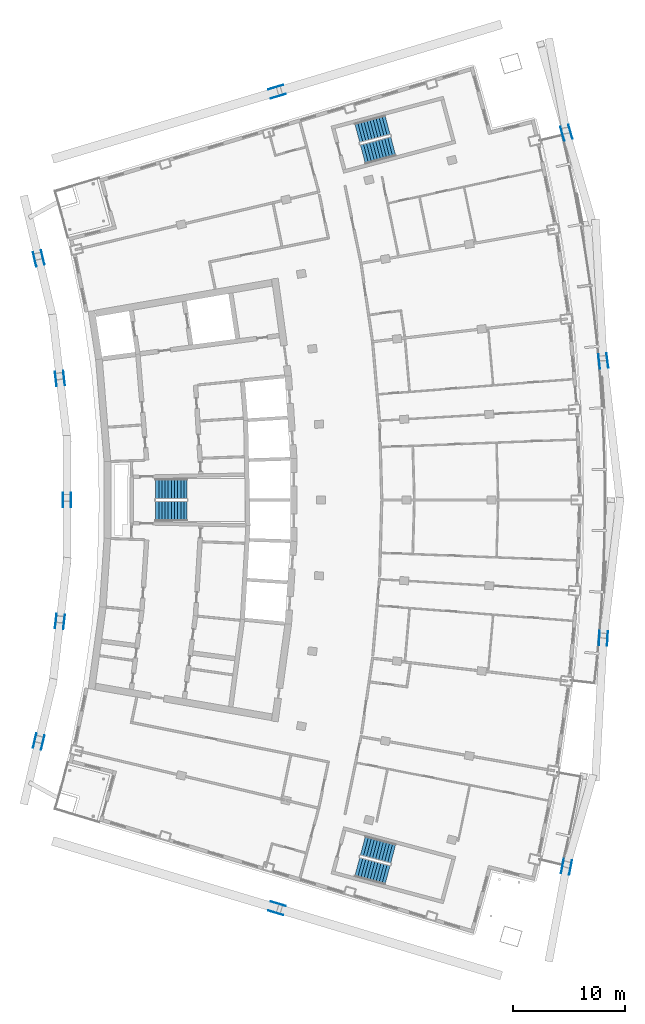
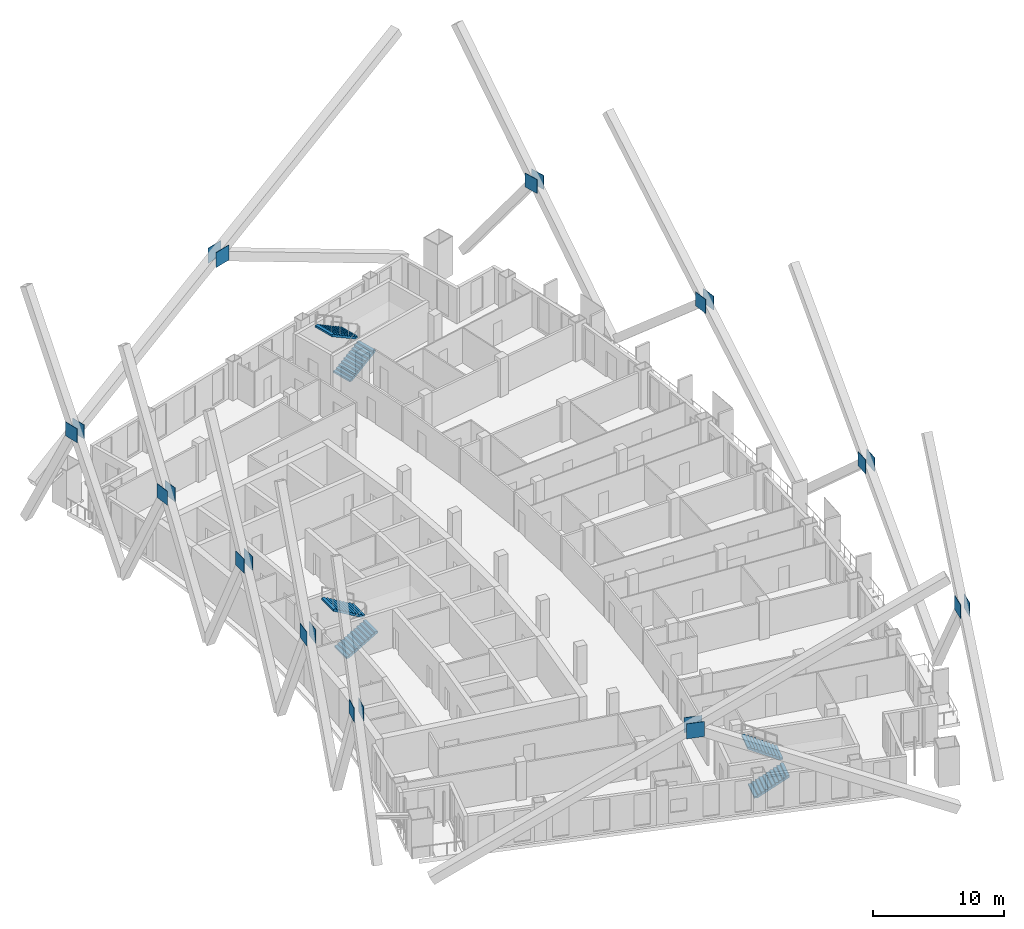
# One storey, part 17 of 20: 22 discrete accessories, 6 stair flights, 3 elements without a shape of their own.
"""IFC4 building model written with IfcOpenShell, lengths in metres."""

from ifc_helpers import new_model, si_unit, direction, frame, origin, origin_2d, place, context, subcontext, project, spatial, polyline, rectangle, outline, extrude, material, layer, layer_set, material_profile, profile_set, type_object, element, aggregate, save


model = new_model("IFC4")

# Units and contexts
model_context = context("Model", 3, precision=1e-05, world=origin(), true_north=direction((0.0, 1.0)))
body_context = subcontext(model_context, "Body", "Model", "MODEL_VIEW")
ifc_project = project(units=[si_unit("LENGTHUNIT", "METRE"), si_unit("AREAUNIT", "SQUARE_METRE"), si_unit("VOLUMEUNIT", "CUBIC_METRE"), si_unit("PLANEANGLEUNIT", "RADIAN"), si_unit("MASSUNIT", "GRAM", prefix="KILO")], contexts=[model_context])

# Site, building, storey
site_placement = place(None, origin())
site = spatial("IfcSite", under=ifc_project, at=site_placement, CompositionType="ELEMENT")
building_placement = place(site_placement, origin())
building = spatial("IfcBuilding", under=site, at=building_placement, Name="Alderwake Tower", CompositionType="ELEMENT")
storey_placement = place(building_placement, frame((0.0, 0.0, 189.199951171875)))
storey = spatial("IfcBuildingStorey", under=building, at=storey_placement, Name="L46", CompositionType="ELEMENT", Elevation=189.199951171875)

# Stair, stair flights
ifc_material_1 = material(Name="Concrete C40/50", Category="concrete")
stair_type = type_object("IfcStairType", Name="Core exit stair", PredefinedType="HALF_TURN_STAIR", material=ifc_material_1)
stair_1_placement = place(storey_placement, origin())
stair_1 = element("IfcStair", 1, at=stair_1_placement, inside=storey, type_object=stair_type, Name="L46 Exit Stair B", PredefinedType="HALF_TURN_STAIR")
ifc_material_2 = material(Name="Concrete C40/50", Category="concrete")
ifc_layer = layer(ifc_material_2, 0.14990234375)
ifc_layer_set = layer_set([ifc_layer], Name="Core stair flight")
stair_flight_type = type_object("IfcStairFlightType", Name="Core stair flight", PredefinedType="STRAIGHT", material=ifc_layer_set)
stair_flight_1_placement = place(storey_placement, frame((21.0400390625, 60.02490234375, 0.0), z_axis=(0.0, 0.0, 1.0), x_axis=(1.0, 0.0, 0.0)))
stair_flight_1 = element("IfcStairFlight", 2, at=stair_flight_1_placement, type_object=stair_flight_type, Name="ST-B flight 1", NumberOfRisers=11, NumberOfTreads=10, PredefinedType="STRAIGHT", RiserHeight=0.163636364, TreadLength=0.28, context=body_context, shape_type="SweptSolid", body=[
    extrude(outline(polyline([(0.0, 0.0), (0.0, 0.16357421875), (0.280029296875, 0.16357421875), (0.280029296875, 0.327392578125), (0.56005859375, 0.327392578125), (0.56005859375, 0.490966796875), (0.840087890625, 0.490966796875), (0.840087890625, 0.654541015625), (1.1201171875, 0.654541015625), (1.1201171875, 0.818115234375), (1.39990234375, 0.818115234375), (1.39990234375, 0.98193359375), (1.679931640625, 0.98193359375), (1.679931640625, 1.1455078125), (1.9599609375, 1.1455078125), (1.9599609375, 1.30908203125), (2.239990234375, 1.30908203125), (2.239990234375, 1.47265625), (2.52001953125, 1.47265625), (2.52001953125, 1.636474609375), (2.800048828125, 1.636474609375), (2.800048828125, 1.800048828125), (2.800048828125, 1.462646484375), (0.297119140625, 0.0), (0.0, 0.0)])), frame((0.0, 0.89990234375, 0.0), z_axis=(0.0, -1.0, 0.0), x_axis=(1.0, 0.0, 0.0)), (0.0, 0.0, 1.0), 1.800048828125),
])
stair_flight_2_placement = place(storey_placement, frame((23.840087890625, 61.97509765625, 1.800048828125), z_axis=(0.0, 0.0, 1.0), x_axis=(-1.0, 0.0, 0.0)))
stair_flight_2 = element("IfcStairFlight", 3, at=stair_flight_2_placement, type_object=stair_flight_type, Name="ST-B flight 2", NumberOfRisers=11, NumberOfTreads=10, PredefinedType="STRAIGHT", RiserHeight=0.163636364, TreadLength=0.28, context=body_context, shape_type="SweptSolid", body=[
    extrude(outline(polyline([(0.0, 0.0), (0.0, 0.16357421875), (0.280029296875, 0.16357421875), (0.280029296875, 0.327392578125), (0.56005859375, 0.327392578125), (0.56005859375, 0.490966796875), (0.840087890625, 0.490966796875), (0.840087890625, 0.654541015625), (1.1201171875, 0.654541015625), (1.1201171875, 0.818115234375), (1.39990234375, 0.818115234375), (1.39990234375, 0.98193359375), (1.679931640625, 0.98193359375), (1.679931640625, 1.1455078125), (1.9599609375, 1.1455078125), (1.9599609375, 1.30908203125), (2.239990234375, 1.30908203125), (2.239990234375, 1.47265625), (2.52001953125, 1.47265625), (2.52001953125, 1.636474609375), (2.800048828125, 1.636474609375), (2.800048828125, 1.800048828125), (2.800048828125, 1.462646484375), (0.297119140625, 0.0), (0.0, 0.0)])), frame((0.0, 0.89990234375, 0.0), z_axis=(0.0, -1.0, 0.0), x_axis=(1.0, 0.0, 0.0)), (0.0, 0.0, 1.0), 1.800048828125),
])
aggregate(stair_1, [stair_flight_1, stair_flight_2])

stair_2_placement = place(storey_placement, origin())
stair_2 = element("IfcStair", 4, at=stair_2_placement, inside=storey, type_object=stair_type, Name="L46 Exit Stair A", PredefinedType="HALF_TURN_STAIR")
stair_flight_3_placement = place(storey_placement, frame((39.512939453125, 91.823974609375, 0.0), z_axis=(0.0, 0.0, 1.0), x_axis=(0.966309627437, 0.257382407951, 0.0)))
stair_flight_3 = element("IfcStairFlight", 5, at=stair_flight_3_placement, type_object=stair_flight_type, Name="ST-A flight 1", NumberOfRisers=11, NumberOfTreads=10, PredefinedType="STRAIGHT", RiserHeight=0.163636364, TreadLength=0.28, context=body_context, shape_type="SweptSolid", body=[
    extrude(outline(polyline([(0.0, 0.0), (0.0, 0.16357421875), (0.280029296875, 0.16357421875), (0.280029296875, 0.327392578125), (0.56005859375, 0.327392578125), (0.56005859375, 0.490966796875), (0.840087890625, 0.490966796875), (0.840087890625, 0.654541015625), (1.1201171875, 0.654541015625), (1.1201171875, 0.818115234375), (1.39990234375, 0.818115234375), (1.39990234375, 0.98193359375), (1.679931640625, 0.98193359375), (1.679931640625, 1.1455078125), (1.9599609375, 1.1455078125), (1.9599609375, 1.30908203125), (2.239990234375, 1.30908203125), (2.239990234375, 1.47265625), (2.52001953125, 1.47265625), (2.52001953125, 1.636474609375), (2.800048828125, 1.636474609375), (2.800048828125, 1.800048828125), (2.800048828125, 1.462646484375), (0.297119140625, 0.0), (0.0, 0.0)])), frame((0.0, 0.89990234375, 0.0), z_axis=(0.0, -1.0, 0.0), x_axis=(1.0, 0.0, 0.0)), (0.0, 0.0, 1.0), 1.800048828125),
])
stair_flight_4_placement = place(storey_placement, frame((41.716796875, 94.428955078125, 1.800048828125), z_axis=(0.0, 0.0, 1.0), x_axis=(-0.966309627437, -0.257382407951, 0.0)))
stair_flight_4 = element("IfcStairFlight", 6, at=stair_flight_4_placement, type_object=stair_flight_type, Name="ST-A flight 2", NumberOfRisers=11, NumberOfTreads=10, PredefinedType="STRAIGHT", RiserHeight=0.163636364, TreadLength=0.28, context=body_context, shape_type="SweptSolid", body=[
    extrude(outline(polyline([(0.0, 0.0), (0.0, 0.16357421875), (0.280029296875, 0.16357421875), (0.280029296875, 0.327392578125), (0.56005859375, 0.327392578125), (0.56005859375, 0.490966796875), (0.840087890625, 0.490966796875), (0.840087890625, 0.654541015625), (1.1201171875, 0.654541015625), (1.1201171875, 0.818115234375), (1.39990234375, 0.818115234375), (1.39990234375, 0.98193359375), (1.679931640625, 0.98193359375), (1.679931640625, 1.1455078125), (1.9599609375, 1.1455078125), (1.9599609375, 1.30908203125), (2.239990234375, 1.30908203125), (2.239990234375, 1.47265625), (2.52001953125, 1.47265625), (2.52001953125, 1.636474609375), (2.800048828125, 1.636474609375), (2.800048828125, 1.800048828125), (2.800048828125, 1.462646484375), (0.297119140625, 0.0), (0.0, 0.0)])), frame((0.0, 0.89990234375, 0.0), z_axis=(0.0, -1.0, 0.0), x_axis=(1.0, 0.0, 0.0)), (0.0, 0.0, 1.0), 1.800048828125),
])
aggregate(stair_2, [stair_flight_3, stair_flight_4])

stair_3_placement = place(storey_placement, origin())
stair_3 = element("IfcStair", 7, at=stair_3_placement, inside=storey, type_object=stair_type, Name="L46 Exit Stair C", PredefinedType="HALF_TURN_STAIR")
stair_flight_5_placement = place(storey_placement, frame((39.010986328125, 28.291748046875, 0.0), z_axis=(0.0, 0.0, 1.0), x_axis=(0.966309627437, -0.257382407951, 0.0)))
stair_flight_5 = element("IfcStairFlight", 8, at=stair_flight_5_placement, type_object=stair_flight_type, Name="ST-C flight 1", NumberOfRisers=11, NumberOfTreads=10, PredefinedType="STRAIGHT", RiserHeight=0.163636364, TreadLength=0.28, context=body_context, shape_type="SweptSolid", body=[
    extrude(outline(polyline([(0.0, 0.0), (0.0, 0.16357421875), (0.280029296875, 0.16357421875), (0.280029296875, 0.327392578125), (0.56005859375, 0.327392578125), (0.56005859375, 0.490966796875), (0.840087890625, 0.490966796875), (0.840087890625, 0.654541015625), (1.1201171875, 0.654541015625), (1.1201171875, 0.818115234375), (1.39990234375, 0.818115234375), (1.39990234375, 0.98193359375), (1.679931640625, 0.98193359375), (1.679931640625, 1.1455078125), (1.9599609375, 1.1455078125), (1.9599609375, 1.30908203125), (2.239990234375, 1.30908203125), (2.239990234375, 1.47265625), (2.52001953125, 1.47265625), (2.52001953125, 1.636474609375), (2.800048828125, 1.636474609375), (2.800048828125, 1.800048828125), (2.800048828125, 1.462646484375), (0.297119140625, 0.0), (0.0, 0.0)])), frame((0.0, 0.89990234375, 0.0), z_axis=(0.0, -1.0, 0.0), x_axis=(1.0, 0.0, 0.0)), (0.0, 0.0, 1.0), 1.800048828125),
])
stair_flight_6_placement = place(storey_placement, frame((42.218505859375, 29.455322265625, 1.800048828125), z_axis=(0.0, 0.0, 1.0), x_axis=(-0.966309627437, 0.257382407951, 0.0)))
stair_flight_6 = element("IfcStairFlight", 9, at=stair_flight_6_placement, type_object=stair_flight_type, Name="ST-C flight 2", NumberOfRisers=11, NumberOfTreads=10, PredefinedType="STRAIGHT", RiserHeight=0.163636364, TreadLength=0.28, context=body_context, shape_type="SweptSolid", body=[
    extrude(outline(polyline([(0.0, 0.0), (0.0, 0.16357421875), (0.280029296875, 0.16357421875), (0.280029296875, 0.327392578125), (0.56005859375, 0.327392578125), (0.56005859375, 0.490966796875), (0.840087890625, 0.490966796875), (0.840087890625, 0.654541015625), (1.1201171875, 0.654541015625), (1.1201171875, 0.818115234375), (1.39990234375, 0.818115234375), (1.39990234375, 0.98193359375), (1.679931640625, 0.98193359375), (1.679931640625, 1.1455078125), (1.9599609375, 1.1455078125), (1.9599609375, 1.30908203125), (2.239990234375, 1.30908203125), (2.239990234375, 1.47265625), (2.52001953125, 1.47265625), (2.52001953125, 1.636474609375), (2.800048828125, 1.636474609375), (2.800048828125, 1.800048828125), (2.800048828125, 1.462646484375), (0.297119140625, 0.0), (0.0, 0.0)])), frame((0.0, 0.89990234375, 0.0), z_axis=(0.0, -1.0, 0.0), x_axis=(1.0, 0.0, 0.0)), (0.0, 0.0, 1.0), 1.800048828125),
])
aggregate(stair_3, [stair_flight_5, stair_flight_6])

# Discrete accessories
ifc_material_3 = material(Name="Steel ASTM A572 Grade 50", Category="steel")
ifc_material_profile_1 = material_profile(ifc_material_3, rectangle(XDim=1.300048828125, YDim=1.300048828125, at=origin_2d()), Name="gusset 1300X1300")
ifc_profile_set_1 = profile_set([ifc_material_profile_1], Name="Steel ASTM A572 Grade 50")
discrete_accessory_type_1 = type_object("IfcDiscreteAccessoryType", Name="Gusset plate 1300X1300X40", PredefinedType="USERDEFINED", material=ifc_profile_set_1)
for number, where, z_axis, x_axis, name in (
    (10, (58.010009765625, 28.24169921875, 10.800048828125), (0.981962917725, -0.189073605276, 0.0), (0.189073605276, 0.981962917725, 0.0), "Gusset plate BRF4.1.2B outer"),
    (11, (57.322021484375, 28.370361328125, 10.800048828125), (-0.983078940965, 0.18318241136, 0.0), (-0.18318241136, -0.983078940965, 0.0), "Gusset plate BRF4.1.2B inner"),
):
    element("IfcDiscreteAccessory", number, at=place(storey_placement, frame(where, z_axis=z_axis, x_axis=x_axis)), inside=storey, type_object=discrete_accessory_type_1, Name=name, ObjectType="GUSSET PLATE", PredefinedType="USERDEFINED", context=body_context, shape_type="SweptSolid", body=[
        extrude(rectangle(XDim=1.300048828125, YDim=1.300048828125, at=origin_2d()), origin(), (0.0, 0.0, 1.0), 0.0400390625),
    ])
discrete_accessory_1_placement = place(storey_placement, frame((61.29931640625, 48.651123046875, 10.800048828125), z_axis=(0.998479143686, -0.055130750265, 0.0), x_axis=(0.055130750265, 0.998479143686, 0.0)))
element("IfcDiscreteAccessory", 12, at=discrete_accessory_1_placement, inside=storey, type_object=discrete_accessory_type_1, Name="Gusset plate BRF4.1.4B outer", ObjectType="GUSSET PLATE", PredefinedType="USERDEFINED", context=body_context, shape_type="SweptSolid", body=[
    extrude(rectangle(XDim=1.300048828125, YDim=1.300048828125, at=origin_2d()), origin(), (0.0, 0.0, 1.0), 0.039794921875),
])
for number, where, z_axis, x_axis, name in (
    (13, (60.600341796875, 48.68994140625, 10.800048828125), (-0.998497592519, 0.054795599589, 0.0), (-0.054795599589, -0.998497592519, 0.0), "Gusset plate BRF4.1.4B inner"),
    (14, (61.291015625, 73.441162109375, 10.800048828125), (0.992556374233, 0.121786058188, 0.0), (-0.121786058188, 0.992556374233, 0.0), "Gusset plate BRF4.1.7B outer"),
    (15, (60.59619140625, 73.357421875, 10.800048828125), (-0.993274823804, -0.115780500934, 0.0), (0.115780500934, -0.993274823804, 0.0), "Gusset plate BRF4.1.7B inner"),
):
    element("IfcDiscreteAccessory", number, at=place(storey_placement, frame(where, z_axis=z_axis, x_axis=x_axis)), inside=storey, type_object=discrete_accessory_type_1, Name=name, ObjectType="GUSSET PLATE", PredefinedType="USERDEFINED", context=body_context, shape_type="SweptSolid", body=[
        extrude(rectangle(XDim=1.300048828125, YDim=1.300048828125, at=origin_2d()), origin(), (0.0, 0.0, 1.0), 0.0400390625),
    ])
for number, where, z_axis, x_axis, name in (
    (16, (57.991455078125, 93.8369140625, 10.800048828125), (0.961292555402, 0.275529713332, 0.0), (-0.275529713332, 0.961292555402, 0.0), "Gusset plate BRF4.1.10B outer"),
    (17, (57.319091796875, 93.64208984375, 10.800048828125), (-0.961292555402, -0.275529713332, 0.0), (0.275529713332, -0.961292555402, 0.0), "Gusset plate BRF4.1.10B inner"),
    (18, (10.957763671875, 39.3828125, 10.800048828125), (0.972608962829, -0.232447425079, 0.0), (0.232447425079, 0.972608962829, 0.0), "Gusset plate BRR4.1.2B outer"),
):
    element("IfcDiscreteAccessory", number, at=place(storey_placement, frame(where, z_axis=z_axis, x_axis=x_axis)), inside=storey, type_object=discrete_accessory_type_1, Name=name, ObjectType="GUSSET PLATE", PredefinedType="USERDEFINED", context=body_context, shape_type="SweptSolid", body=[
        extrude(rectangle(XDim=1.300048828125, YDim=1.300048828125, at=origin_2d()), origin(), (0.0, 0.0, 1.0), 0.039794921875),
    ])
for number, where, z_axis, x_axis, name in (
    (19, (10.27685546875, 39.544677734375, 10.800048828125), (-0.974288465505, 0.225304207648, 0.0), (-0.225304207648, -0.974288465505, 0.0), "Gusset plate BRR4.1.2B inner"),
    (20, (12.855712890625, 50.117431640625, 10.800048828125), (0.993274823804, -0.115780500934, 0.0), (0.115780500934, 0.993274823804, 0.0), "Gusset plate BRR4.1.4B outer"),
):
    element("IfcDiscreteAccessory", number, at=place(storey_placement, frame(where, z_axis=z_axis, x_axis=x_axis)), inside=storey, type_object=discrete_accessory_type_1, Name=name, ObjectType="GUSSET PLATE", PredefinedType="USERDEFINED", context=body_context, shape_type="SweptSolid", body=[
        extrude(rectangle(XDim=1.300048828125, YDim=1.300048828125, at=origin_2d()), origin(), (0.0, 0.0, 1.0), 0.0400390625),
    ])
discrete_accessory_2_placement = place(storey_placement, frame((12.160400390625, 50.198974609375, 10.800048828125), z_axis=(-0.993192389202, 0.116485527129, 0.0), x_axis=(-0.116485527129, -0.993192389202, 0.0)))
element("IfcDiscreteAccessory", 21, at=discrete_accessory_2_placement, inside=storey, type_object=discrete_accessory_type_1, Name="Gusset plate BRR4.1.4B inner", ObjectType="GUSSET PLATE", PredefinedType="USERDEFINED", context=body_context, shape_type="SweptSolid", body=[
    extrude(rectangle(XDim=1.300048828125, YDim=1.300048828125, at=origin_2d()), origin(), (0.0, 0.0, 1.0), 0.039794921875),
])
for number, where, z_axis, x_axis, name in (
    (22, (13.4912109375, 61.0, 10.800048828125), (1.0, 0.0, 0.0), (0.0, 1.0, 0.0), "Gusset plate BRR4.1.6B outer"),
    (23, (12.791259765625, 61.0, 10.800048828125), (-1.0, 0.0, 0.0), (0.0, -1.0, 0.0), "Gusset plate BRR4.1.6B inner"),
    (24, (12.855712890625, 71.882568359375, 10.800048828125), (0.993274823804, 0.115780500934, 0.0), (-0.115780500934, 0.993274823804, 0.0), "Gusset plate BRR4.1.8B outer"),
):
    element("IfcDiscreteAccessory", number, at=place(storey_placement, frame(where, z_axis=z_axis, x_axis=x_axis)), inside=storey, type_object=discrete_accessory_type_1, Name=name, ObjectType="GUSSET PLATE", PredefinedType="USERDEFINED", context=body_context, shape_type="SweptSolid", body=[
        extrude(rectangle(XDim=1.300048828125, YDim=1.300048828125, at=origin_2d()), origin(), (0.0, 0.0, 1.0), 0.0400390625),
    ])
for number, where, z_axis, x_axis, name in (
    (25, (12.160400390625, 71.801025390625, 10.800048828125), (-0.993192389202, -0.116485527129, 0.0), (0.116485527129, -0.993192389202, 0.0), "Gusset plate BRR4.1.8B inner"),
    (26, (10.957763671875, 82.6171875, 10.800048828125), (0.972608962829, 0.232447425079, 0.0), (-0.232447425079, 0.972608962829, 0.0), "Gusset plate BRR4.1.10B outer"),
):
    element("IfcDiscreteAccessory", number, at=place(storey_placement, frame(where, z_axis=z_axis, x_axis=x_axis)), inside=storey, type_object=discrete_accessory_type_1, Name=name, ObjectType="GUSSET PLATE", PredefinedType="USERDEFINED", context=body_context, shape_type="SweptSolid", body=[
        extrude(rectangle(XDim=1.300048828125, YDim=1.300048828125, at=origin_2d()), origin(), (0.0, 0.0, 1.0), 0.039794921875),
    ])
discrete_accessory_3_placement = place(storey_placement, frame((10.27685546875, 82.455322265625, 10.800048828125), z_axis=(-0.974288465505, -0.225304207648, 0.0), x_axis=(0.225304207648, -0.974288465505, 0.0)))
element("IfcDiscreteAccessory", 27, at=discrete_accessory_3_placement, inside=storey, type_object=discrete_accessory_type_1, Name="Gusset plate BRR4.1.10B inner", ObjectType="GUSSET PLATE", PredefinedType="USERDEFINED", context=body_context, shape_type="SweptSolid", body=[
    extrude(rectangle(XDim=1.300048828125, YDim=1.300048828125, at=origin_2d()), origin(), (0.0, 0.0, 1.0), 0.0400390625),
])
ifc_material_4 = material(Name="Steel ASTM A572 Grade 50", Category="steel")
ifc_material_profile_2 = material_profile(ifc_material_4, rectangle(XDim=1.39990234375, YDim=1.39990234375, at=origin_2d()), Name="gusset 1400X1400")
ifc_profile_set_2 = profile_set([ifc_material_profile_2], Name="Steel ASTM A572 Grade 50")
discrete_accessory_type_2 = type_object("IfcDiscreteAccessoryType", Name="Gusset plate 1400X1400X40", PredefinedType="USERDEFINED", material=ifc_profile_set_2)
for number, where, z_axis, x_axis, name in (
    (28, (31.741943359375, 24.215087890625, 10.800048828125), (-0.286788031626, -0.95799406309, 0.0), (0.95799406309, -0.286788031626, 0.0), "Gusset plate BRS4.1.0B outer"),
    (29, (31.971923828125, 24.9814453125, 10.800048828125), (0.286788031626, 0.95799406309, 0.0), (-0.95799406309, 0.286788031626, 0.0), "Gusset plate BRS4.1.0B inner"),
    (30, (31.741943359375, 97.784912109375, 10.800048828125), (-0.286788031626, 0.95799406309, 0.0), (-0.95799406309, -0.286788031626, 0.0), "Gusset plate BRN4.1.0B outer"),
    (31, (31.971923828125, 97.0185546875, 10.800048828125), (0.286788031626, -0.95799406309, 0.0), (0.95799406309, 0.286788031626, 0.0), "Gusset plate BRN4.1.0B inner"),
):
    element("IfcDiscreteAccessory", number, at=place(storey_placement, frame(where, z_axis=z_axis, x_axis=x_axis)), inside=storey, type_object=discrete_accessory_type_2, Name=name, ObjectType="GUSSET PLATE", PredefinedType="USERDEFINED", context=body_context, shape_type="SweptSolid", body=[
        extrude(rectangle(XDim=1.39990234375, YDim=1.39990234375, at=origin_2d()), origin(), (0.0, 0.0, 1.0), 0.0400390625),
    ])

save(model, "model.ifc")
